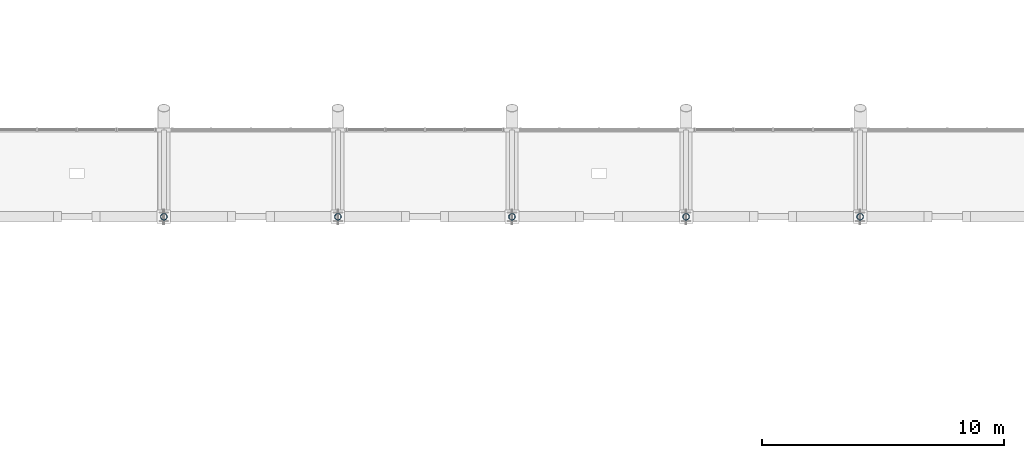
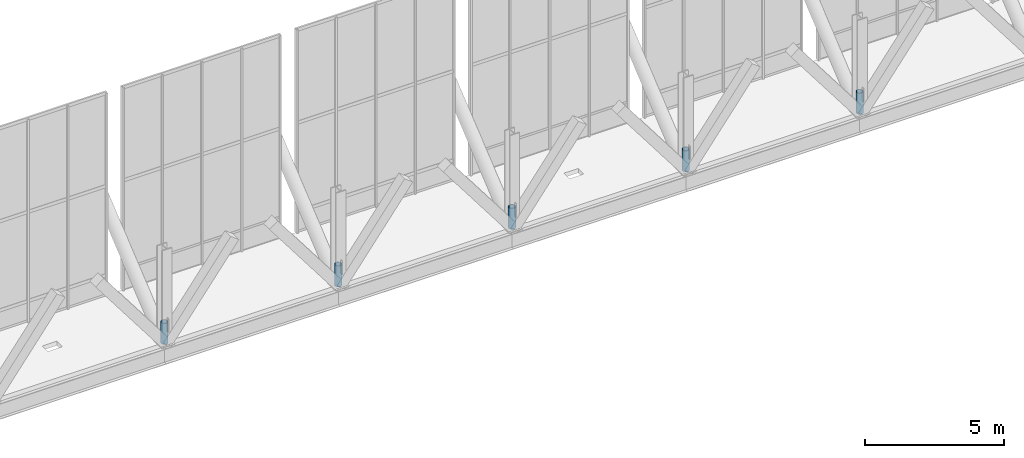
# One storey, part 69 of 102: 5 members.
"""IFC4 building model written with IfcOpenShell, lengths in metres."""

from ifc_helpers import new_model, si_unit, direction, frame, origin, origin_2d, place, context, subcontext, project, spatial, hollow_circle, extrude, material, material_profile, profile_set, type_object, element, save


model = new_model("IFC4")

# Units and contexts
model_context = context("Model", 3, precision=1e-05, world=origin(), true_north=direction((0.0, 1.0)))
body_context = subcontext(model_context, "Body", "Model", "MODEL_VIEW")
ifc_project = project(units=[si_unit("LENGTHUNIT", "METRE"), si_unit("AREAUNIT", "SQUARE_METRE"), si_unit("VOLUMEUNIT", "CUBIC_METRE"), si_unit("PLANEANGLEUNIT", "RADIAN"), si_unit("MASSUNIT", "GRAM", prefix="KILO")], contexts=[model_context])

# Site, building, storey
site_placement = place(None, origin())
site = spatial("IfcSite", under=ifc_project, at=site_placement, CompositionType="ELEMENT")
building_placement = place(site_placement, origin())
building = spatial("IfcBuilding", under=site, at=building_placement, Name="Yarey Park Central Fire Station", CompositionType="ELEMENT")
storey_placement = place(building_placement, frame((0.0, 0.0, 6.0)))
storey = spatial("IfcBuildingStorey", under=building, at=storey_placement, Name="L02", CompositionType="ELEMENT", Elevation=6.0)

# Members
ifc_material = material(Name="Steel ASTM A500 Gr. C", Category="steel")
ifc_material_profile = material_profile(ifc_material, hollow_circle(Radius=0.136474609375, WallThickness=0.012451171875, at=origin_2d()), Name="CHS 273x12.5")
ifc_profile_set = profile_set([ifc_material_profile], Name="Steel ASTM A500 Gr. C")
member_type = type_object("IfcMemberType", Name="STR_WEB_CHS273", PredefinedType="BRACE", material=ifc_profile_set)
for number, where, z_axis, x_axis, name in (
    (1, (93.60009765625, 57.60009765625, 0.0), (0.0, 0.0, 1.0), (1.0, 0.0, 0.0), "Arched Roof Truss ART_06 Vertical 1"),
    (2, (100.800048828125, 57.60009765625, 0.0), (0.0, 0.0, 1.0), (1.0, 0.0, 0.0), "Arched Roof Truss ART_07 Vertical 1"),
    (3, (108.0, 57.60009765625, 0.0), (0.0, 0.0, 1.0), (1.0, 0.0, 0.0), "Arched Roof Truss ART_08 Vertical 1"),
    (4, (115.199951171875, 57.60009765625, 0.0), (0.0, 0.0, 1.0), (1.0, 0.0, 0.0), "Arched Roof Truss ART_09 Vertical 1"),
    (5, (122.39990234375, 57.60009765625, 0.0), (0.0, 0.0, 1.0), (1.0, 0.0, 0.0), "Arched Roof Truss ART_10 Vertical 1"),
):
    element("IfcMember", number, at=place(storey_placement, frame(where, z_axis=z_axis, x_axis=x_axis)), inside=storey, type_object=member_type, Name=name, PredefinedType="BRACE", context=body_context, shape_type="SweptSolid", body=[
        extrude(hollow_circle(Radius=0.136474609375, WallThickness=0.012451171875, at=origin_2d()), origin(), (0.0, 0.0, 1.0), 0.919921875),
    ])

save(model, "model.ifc")
